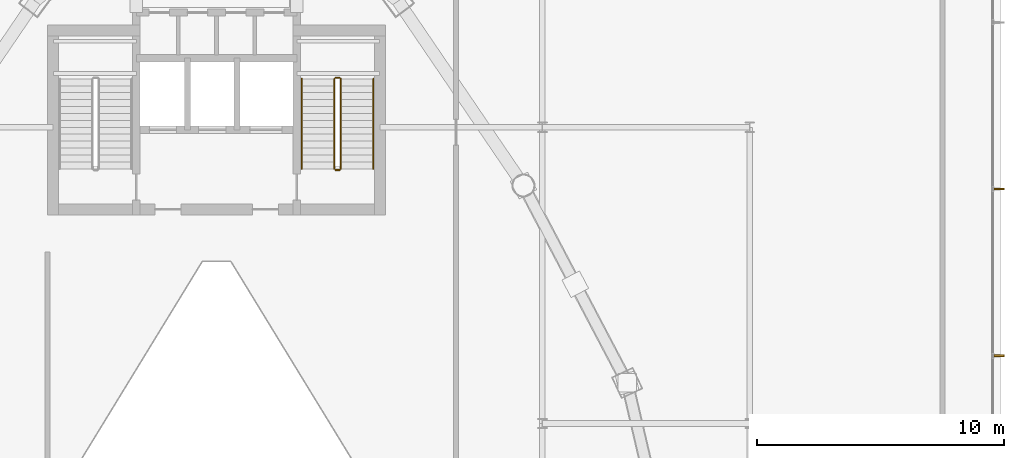
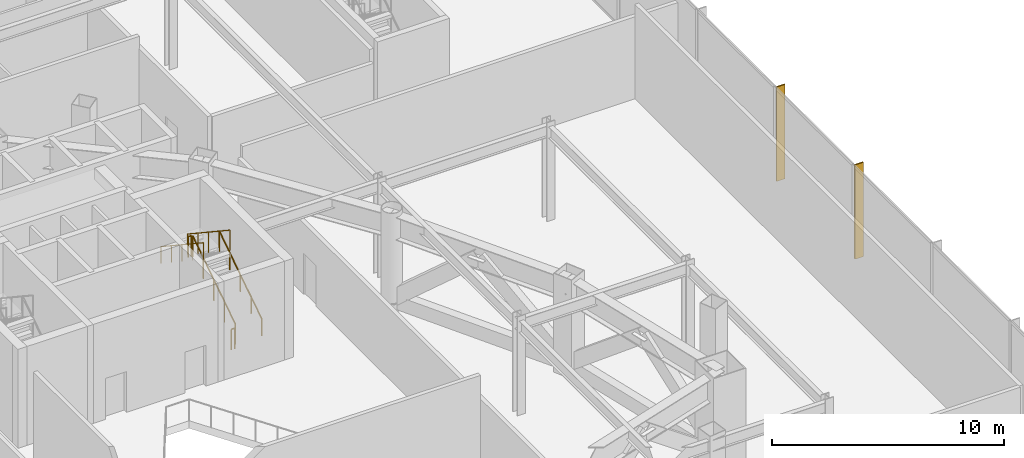
# One storey, part 40 of 43: 6 railings, 2 shading devices.
"""IFC4 building model written with IfcOpenShell, lengths in metres."""

from ifc_helpers import new_model, si_unit, direction, frame, origin, origin_2d, place, context, subcontext, project, spatial, rectangle, circle, extrude, material, layer, layer_set, type_object, element, save


model = new_model("IFC4")

# Units and contexts
model_context = context("Model", 3, precision=1e-05, world=origin(), true_north=direction((0.0, 1.0)))
body_context = subcontext(model_context, "Body", "Model", "MODEL_VIEW")
ifc_project = project(units=[si_unit("LENGTHUNIT", "METRE"), si_unit("AREAUNIT", "SQUARE_METRE"), si_unit("VOLUMEUNIT", "CUBIC_METRE"), si_unit("PLANEANGLEUNIT", "RADIAN"), si_unit("MASSUNIT", "GRAM", prefix="KILO")], contexts=[model_context])

# Site, building, storey
site_placement = place(None, origin())
site = spatial("IfcSite", under=ifc_project, at=site_placement, CompositionType="ELEMENT")
building_placement = place(site_placement, origin())
building = spatial("IfcBuilding", under=site, at=building_placement, Name="Orvanel Arch Residences", CompositionType="ELEMENT")
storey_placement = place(building_placement, frame((0.0, 0.0, 18.39990234375)))
storey = spatial("IfcBuildingStorey", under=building, at=storey_placement, Name="L04", CompositionType="ELEMENT", Elevation=18.39990234375)

# Shading devices
ifc_material_1 = material(Name="Bronze-anodised aluminium AA6063-T6", Category="aluminium")
ifc_layer = layer(ifc_material_1, 0.06494140625)
ifc_layer_set = layer_set([ifc_layer], Name="Bronze-anodised aluminium AA6063-T6")
shading_device_type = type_object("IfcShadingDeviceType", Name="FIN-BRZ-420", PredefinedType="USERDEFINED", material=ifc_layer_set)
for number, where, z_axis, x_axis, name in (
    (1, (64.68994140625, 20.7470703125, 0.0), (0.0, 0.0, 1.0), (1.0, 0.0, 0.0), "L04 Anodised Bronze Mullion FIN 03"),
    (2, (64.68994140625, 27.5, 0.0), (0.0, 0.0, 1.0), (1.0, 0.0, 0.0), "L04 Anodised Bronze Mullion FIN 04"),
):
    element("IfcShadingDevice", number, at=place(storey_placement, frame(where, z_axis=z_axis, x_axis=x_axis)), inside=storey, type_object=shading_device_type, Name=name, ObjectType="FIN", PredefinedType="USERDEFINED", context=body_context, shape_type="SweptSolid", body=[
        extrude(rectangle(XDim=0.419921875, YDim=0.06494140625, at=origin_2d()), origin(), (0.0, 0.0, 1.0), 4.9599609375),
    ])

# Railings
ifc_material_2 = material(Name="Structural steel AS/NZS 1163 C350L0 (Grade 350)", Category="steel")
railing_type_1 = type_object("IfcRailingType", Name="RL-STAIR-GUARD", PredefinedType="GUARDRAIL", material=ifc_material_2)
railing_1_placement = place(storey_placement, frame((38.030029296875, 28.320068359375, 0.185791015625)))
element("IfcRailing", 3, at=railing_1_placement, inside=storey, type_object=railing_type_1, Name="L04 ST-2 stair guard 1", PredefinedType="GUARDRAIL", context=body_context, shape_type="SweptSolid", body=[
    extrude(circle(Radius=0.02392578125, at=origin_2d()), frame((0.0, 0.001220703125, 1.076904296875), z_axis=(0.0, 0.833346510843, 0.552750932036), x_axis=(-1.0, 0.0, 0.0)), (0.0, 0.0, 1.0), 4.36474609375),
    extrude(circle(Radius=0.02099609375, at=origin_2d()), origin(), (0.0, 0.0, 1.0), 1.050048828125),
    extrude(circle(Radius=0.02099609375, at=origin_2d()), frame((0.0, 0.909912109375, 0.603515625)), (0.0, 0.0, 1.0), 1.050048828125),
    extrude(circle(Radius=0.02099609375, at=origin_2d()), frame((0.0, 1.81982421875, 1.20703125)), (0.0, 0.0, 1.0), 1.050048828125),
    extrude(circle(Radius=0.02099609375, at=origin_2d()), frame((0.0, 2.72998046875, 1.810791015625)), (0.0, 0.0, 1.0), 1.050048828125),
    extrude(circle(Radius=0.02099609375, at=origin_2d()), frame((0.0, 3.639892578125, 2.414306640625)), (0.0, 0.0, 1.0), 1.050048828125),
])
railing_2_placement = place(storey_placement, frame((37.97998046875, 32.010009765625, 2.60009765625)))
element("IfcRailing", 4, at=railing_2_placement, inside=storey, type_object=railing_type_1, Name="L04 ST-2 stair guard 2", PredefinedType="GUARDRAIL", context=body_context, shape_type="SweptSolid", body=[
    extrude(circle(Radius=0.02392578125, at=origin_2d()), frame((-0.00146484375, 0.0, 1.076171875), z_axis=(-1.0, 0.0, 0.0), x_axis=(0.0, -1.0, 0.0)), (0.0, 0.0, 1.0), 0.156982421875),
    extrude(circle(Radius=0.02099609375, at=origin_2d()), origin(), (0.0, 0.0, 1.0), 1.050048828125),
    extrude(circle(Radius=0.02099609375, at=origin_2d()), frame((-0.159912109375, 0.0, 0.0)), (0.0, 0.0, 1.0), 1.050048828125),
])
railing_3_placement = place(storey_placement, frame((37.77001953125, 31.9599609375, 2.785888671875)))
element("IfcRailing", 5, at=railing_3_placement, inside=storey, type_object=railing_type_1, Name="L04 ST-2 stair guard 3", PredefinedType="GUARDRAIL", context=body_context, shape_type="SweptSolid", body=[
    extrude(circle(Radius=0.02392578125, at=origin_2d()), frame((0.0, -0.001220703125, 1.076904296875), z_axis=(0.0, -0.833346510843, 0.552750932036), x_axis=(1.0, 0.0, 0.0)), (0.0, 0.0, 1.0), 4.36474609375),
    extrude(circle(Radius=0.02099609375, at=origin_2d()), origin(), (0.0, 0.0, 1.0), 1.050048828125),
    extrude(circle(Radius=0.02099609375, at=origin_2d()), frame((0.0, -0.909912109375, 0.603515625)), (0.0, 0.0, 1.0), 1.050048828125),
    extrude(circle(Radius=0.02099609375, at=origin_2d()), frame((0.0, -1.81982421875, 1.20703125)), (0.0, 0.0, 1.0), 1.050048828125),
    extrude(circle(Radius=0.02099609375, at=origin_2d()), frame((0.0, -2.72998046875, 1.810791015625)), (0.0, 0.0, 1.0), 1.050048828125),
    extrude(circle(Radius=0.02099609375, at=origin_2d()), frame((0.0, -3.639892578125, 2.414306640625)), (0.0, 0.0, 1.0), 1.050048828125),
])
railing_4_placement = place(storey_placement, frame((37.97998046875, 28.27001953125, 0.0)))
element("IfcRailing", 6, at=railing_4_placement, inside=storey, type_object=railing_type_1, Name="L04 ST-2 stair guard 4", PredefinedType="GUARDRAIL", context=body_context, shape_type="SweptSolid", body=[
    extrude(circle(Radius=0.02392578125, at=origin_2d()), frame((-0.00146484375, 0.0, 1.076171875), z_axis=(-1.0, 0.0, 0.0), x_axis=(0.0, -1.0, 0.0)), (0.0, 0.0, 1.0), 0.156982421875),
    extrude(circle(Radius=0.02099609375, at=origin_2d()), origin(), (0.0, 0.0, 1.0), 1.050048828125),
    extrude(circle(Radius=0.02099609375, at=origin_2d()), frame((-0.159912109375, 0.0, 0.0)), (0.0, 0.0, 1.0), 1.050048828125),
])
railing_type_2 = type_object("IfcRailingType", Name="RL-STAIR-HAND", PredefinedType="HANDRAIL", material=ifc_material_2)
railing_5_placement = place(storey_placement, frame((39.35009765625, 28.320068359375, 0.185791015625)))
element("IfcRailing", 7, at=railing_5_placement, inside=storey, type_object=railing_type_2, Name="L04 ST-2 stair handrail 1", PredefinedType="HANDRAIL", context=body_context, shape_type="SweptSolid", body=[
    extrude(circle(Radius=0.02392578125, at=origin_2d()), frame((0.0, 0.001220703125, 0.876708984375), z_axis=(0.0, 0.833346510843, 0.552750932036), x_axis=(-1.0, 0.0, 0.0)), (0.0, 0.0, 1.0), 4.36474609375),
    extrude(circle(Radius=0.02099609375, at=origin_2d()), origin(), (0.0, 0.0, 1.0), 0.849853515625),
    extrude(circle(Radius=0.02099609375, at=origin_2d()), frame((0.0, 0.909912109375, 0.603515625)), (0.0, 0.0, 1.0), 0.849853515625),
    extrude(circle(Radius=0.02099609375, at=origin_2d()), frame((0.0, 1.81982421875, 1.20703125)), (0.0, 0.0, 1.0), 0.849853515625),
    extrude(circle(Radius=0.02099609375, at=origin_2d()), frame((0.0, 2.72998046875, 1.810791015625)), (0.0, 0.0, 1.0), 0.849853515625),
    extrude(circle(Radius=0.02099609375, at=origin_2d()), frame((0.0, 3.639892578125, 2.414306640625)), (0.0, 0.0, 1.0), 0.849853515625),
])
railing_6_placement = place(storey_placement, frame((36.449951171875, 31.9599609375, 2.785888671875)))
element("IfcRailing", 8, at=railing_6_placement, inside=storey, type_object=railing_type_2, Name="L04 ST-2 stair handrail 2", PredefinedType="HANDRAIL", context=body_context, shape_type="SweptSolid", body=[
    extrude(circle(Radius=0.02392578125, at=origin_2d()), frame((0.0, -0.001220703125, 0.876708984375), z_axis=(0.0, -0.833346510843, 0.552750932036), x_axis=(1.0, 0.0, 0.0)), (0.0, 0.0, 1.0), 4.36474609375),
    extrude(circle(Radius=0.02099609375, at=origin_2d()), origin(), (0.0, 0.0, 1.0), 0.849853515625),
    extrude(circle(Radius=0.02099609375, at=origin_2d()), frame((0.0, -0.909912109375, 0.603515625)), (0.0, 0.0, 1.0), 0.849853515625),
    extrude(circle(Radius=0.02099609375, at=origin_2d()), frame((0.0, -1.81982421875, 1.20703125)), (0.0, 0.0, 1.0), 0.849853515625),
    extrude(circle(Radius=0.02099609375, at=origin_2d()), frame((0.0, -2.72998046875, 1.810791015625)), (0.0, 0.0, 1.0), 0.849853515625),
    extrude(circle(Radius=0.02099609375, at=origin_2d()), frame((0.0, -3.639892578125, 2.414306640625)), (0.0, 0.0, 1.0), 0.849853515625),
])

save(model, "model.ifc")
